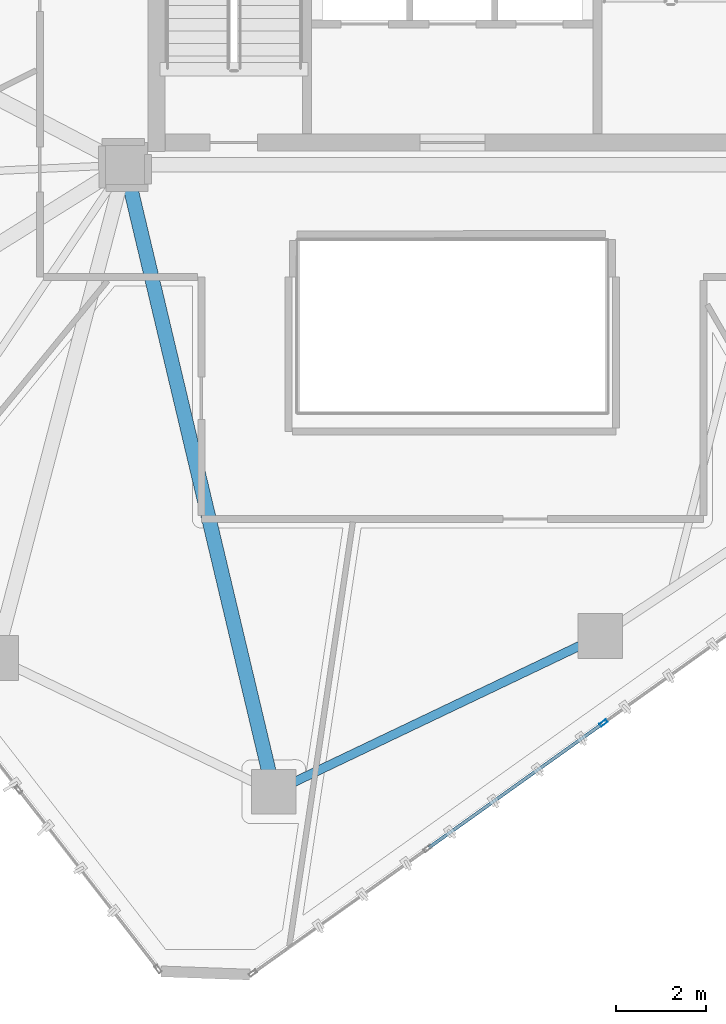
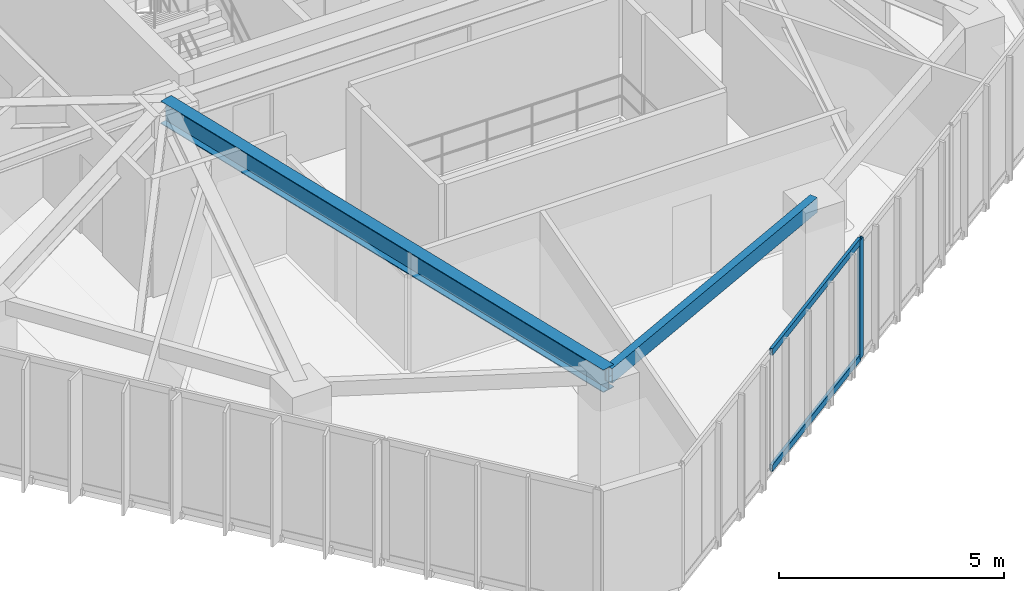
# One storey, part 4 of 19: 3 members, 2 beams, 1 element without a shape of its own.
"""IFC4 building model written with IfcOpenShell, lengths in metres."""

import ifcopenshell
import ifcopenshell.guid

model = None  # the IFC model being written
_history = None  # IfcOwnerHistory: only IFC2X3 demands one
_inside = {}  # id of a spatial element -> (the spatial element, [elements in it])
_under = {}  # id of a project, library or spatial element -> (it, [spatial elements below it])
_declared = {}  # id of a project -> (the project, [libraries it declares])
_typed = {}  # id of a type object -> (the type object, [elements of that type])
_made_of = {}  # id of a material, layer set ... -> (it, [elements and type objects made of it])


def new_model(schema):
    """Start an empty IFC model of exactly this schema.

    Asked for "IFC4X3", IfcOpenShell would pick the latest addendum, in which some entities
    have other attributes; the version numbers below select the first issue.
    IFC2X3 requires an IfcOwnerHistory on every rooted entity: one is made here for all.
    """
    global model, _history
    if schema == "IFC4X3":
        model = ifcopenshell.file(schema_version=(4, 3, 0, 0))
    else:
        model = ifcopenshell.file(schema=schema)
    _inside.clear()
    _under.clear()
    _declared.clear()
    _typed.clear()
    _made_of.clear()
    _history = None
    if model.schema == "IFC2X3":
        org = make("IfcOrganization", Name="unknown")
        user = make(
            "IfcPersonAndOrganization",
            ThePerson=make("IfcPerson", FamilyName="unknown"),
            TheOrganization=org,
        )
        app = make(
            "IfcApplication",
            ApplicationDeveloper=org,
            Version="unknown",
            ApplicationFullName="unknown",
            ApplicationIdentifier="unknown",
        )
        _history = make(
            "IfcOwnerHistory",
            OwningUser=user,
            OwningApplication=app,
            ChangeAction="ADDED",
            CreationDate=0,
        )
    return model


def make(cls, **values):
    """One entity of the class cls with the attributes given. An attribute that is None is left unset."""
    return model.create_entity(
        cls, **{name: value for name, value in values.items() if value is not None}
    )


def rooted(cls, **values):
    """An entity with a GlobalId (a new one), such as an element, a storey or a relation."""
    return make(cls, GlobalId=ifcopenshell.guid.new(), OwnerHistory=_history, **values)


def si_unit(unit_type, name, prefix=None):
    """IfcSIUnit, for example si_unit("LENGTHUNIT", "METRE", prefix="MILLI")."""
    return make("IfcSIUnit", UnitType=unit_type, Prefix=prefix, Name=name)


def assignment(units):
    """IfcUnitAssignment: the units of a project."""
    return None if units is None else make("IfcUnitAssignment", Units=units)


def point(xyz):
    """IfcCartesianPoint."""
    return None if xyz is None else make("IfcCartesianPoint", Coordinates=xyz)


def direction(xyz):
    """IfcDirection."""
    return None if xyz is None else make("IfcDirection", DirectionRatios=xyz)


def frame(location, z_axis=None, x_axis=None):
    """IfcAxis2Placement3D, a coordinate frame: its origin and axes. An axis left out is left unset."""
    return make(
        "IfcAxis2Placement3D",
        Location=point(location),
        Axis=direction(z_axis),
        RefDirection=direction(x_axis),
    )


def frame_2d(location, x_axis=None):
    """IfcAxis2Placement2D, a coordinate frame in the plane: its origin and x axis."""
    return make(
        "IfcAxis2Placement2D", Location=point(location), RefDirection=direction(x_axis)
    )


def origin():
    """The frame at (0, 0, 0) with its axes left unset."""
    return frame((0.0, 0.0, 0.0))


def origin_2d():
    """The frame at (0, 0) in the plane with its x axis left unset."""
    return frame_2d((0.0, 0.0))


def place(relative_to, where):
    """IfcLocalPlacement: puts the frame where relative to a parent placement (None: the world)."""
    return make(
        "IfcLocalPlacement", PlacementRelTo=relative_to, RelativePlacement=where
    )


def context(
    kind, dimensions, precision=None, world=None, true_north=None, identifier=None
):
    """IfcGeometricRepresentationContext, for example the 3D "Model" context."""
    return make(
        "IfcGeometricRepresentationContext",
        ContextIdentifier=identifier,
        ContextType=kind,
        CoordinateSpaceDimension=dimensions,
        Precision=precision,
        WorldCoordinateSystem=world,
        TrueNorth=true_north,
    )


def subcontext(parent, identifier, kind, view, scale=None):
    """IfcGeometricRepresentationSubContext, for example "Body" below "Model"."""
    return make(
        "IfcGeometricRepresentationSubContext",
        ContextIdentifier=identifier,
        ContextType=kind,
        ParentContext=parent,
        TargetScale=scale,
        TargetView=view,
    )


def project(units=None, contexts=None):
    """IfcProject with its units and contexts."""
    return rooted(
        "IfcProject",
        Name="project",
        RepresentationContexts=contexts,
        UnitsInContext=assignment(units),
    )


def spatial(cls, under=None, at=None, **own):
    """A site, building, storey or space (cls), placed at a placement, below another one or the project."""
    s = rooted(cls, ObjectPlacement=at, **own)
    if under is not None:
        _under.setdefault(under.id(), (under, []))[1].append(s)
    return s


def profile(cls, at=None, kind="AREA", **sizes):
    """A parametric profile (cls). Its sizes go by their IFC names, for example OverallWidth=200.0."""
    return make(cls, ProfileType=kind, Position=at, **sizes)


def hollow_rectangle(**sizes):
    """IfcRectangleHollowProfileDef."""
    return profile("IfcRectangleHollowProfileDef", **sizes)


def i_section(**sizes):
    """IfcIShapeProfileDef."""
    return profile("IfcIShapeProfileDef", **sizes)


def extrude(swept, where, along, depth):
    """IfcExtrudedAreaSolid: the profile swept, set in the frame where, extruded along a direction by depth."""
    return make(
        "IfcExtrudedAreaSolid",
        SweptArea=swept,
        Position=where,
        ExtrudedDirection=direction(along),
        Depth=depth,
    )


def shape(context_of_items, identifier, shape_type, items):
    """IfcShapeRepresentation: the items that make up one representation, for example the "Body"."""
    return make(
        "IfcShapeRepresentation",
        ContextOfItems=context_of_items,
        RepresentationIdentifier=identifier,
        RepresentationType=shape_type,
        Items=items,
    )


def source(mapping_origin, context_of_items, identifier, shape_type, items):
    """IfcRepresentationMap: a shape defined once, which mapped items show again and again."""
    return make(
        "IfcRepresentationMap",
        MappingOrigin=mapping_origin,
        MappedRepresentation=shape(context_of_items, identifier, shape_type, items),
    )


def transform(
    local_origin,
    x_axis=None,
    y_axis=None,
    z_axis=None,
    scale=None,
    scale2=None,
    scale3=None,
    uniform=True,
):
    """IfcCartesianTransformationOperator3D, or its non-uniform kind. x_axis, y_axis, z_axis: its Axis1, 2, 3."""
    if uniform:
        return make(
            "IfcCartesianTransformationOperator3D",
            Axis1=direction(x_axis),
            Axis2=direction(y_axis),
            LocalOrigin=point(local_origin),
            Scale=scale,
            Axis3=direction(z_axis),
        )
    return make(
        "IfcCartesianTransformationOperator3DnonUniform",
        Axis1=direction(x_axis),
        Axis2=direction(y_axis),
        LocalOrigin=point(local_origin),
        Scale=scale,
        Axis3=direction(z_axis),
        Scale2=scale2,
        Scale3=scale3,
    )


def mapped(mapping_source, mapping_target):
    """IfcMappedItem: shows the shape of a source again, moved by a transform."""
    return make(
        "IfcMappedItem", MappingSource=mapping_source, MappingTarget=mapping_target
    )


def material(Name=None, Category=None):
    """IfcMaterial."""
    return make("IfcMaterial", Name=Name, Category=Category)


def layer(
    of_material, thickness, ventilated=None, Name=None, Category=None, Priority=None
):
    """IfcMaterialLayer: one layer of a wall or slab, of a material (None: an air gap)."""
    return make(
        "IfcMaterialLayer",
        Material=of_material,
        LayerThickness=thickness,
        IsVentilated=ventilated,
        Name=Name,
        Category=Category,
        Priority=Priority,
    )


def layer_set(layers, Name=None):
    """IfcMaterialLayerSet."""
    return make("IfcMaterialLayerSet", MaterialLayers=layers, LayerSetName=Name)


def material_profile(
    of_material, cross_section, Name=None, Category=None, Priority=None
):
    """IfcMaterialProfile: a cross section and its material."""
    return make(
        "IfcMaterialProfile",
        Name=Name,
        Material=of_material,
        Profile=cross_section,
        Priority=Priority,
        Category=Category,
    )


def profile_set(profiles, Name=None, composite=None):
    """IfcMaterialProfileSet."""
    return make(
        "IfcMaterialProfileSet",
        Name=Name,
        MaterialProfiles=profiles,
        CompositeProfile=composite,
    )


def made_of(thing, what):
    """Note that an element or type object is made of a material, layer set ...; save() writes the relation."""
    if what is not None:
        _made_of.setdefault(what.id(), (what, []))[1].append(thing)
    return thing


def type_object(cls, material=None, **own):
    """A type object (cls), such as IfcWallType, which elements share."""
    return made_of(rooted(cls, **own), material)


def type_shapes(of_type, sources):
    """Give a type object the sources (RepresentationMaps) that its elements show as mapped items."""
    of_type.RepresentationMaps = sources


def element(
    cls,
    number,
    at=None,
    inside=None,
    cuts=None,
    type_object=None,
    material=None,
    context=None,
    identifier="Body",
    shape_type=None,
    held_by="IfcProductDefinitionShape",
    body=None,
    shapes=None,
    **own,
):
    """One element of the class cls, such as IfcWall. Its Tag is "e" and its number.

    at: its placement. inside: the storey or other place that contains it. cuts: it is an
    opening in that element (IfcRelVoidsElement). A single representation is given by context,
    identifier, shape_type and body (its items); several are given by shapes. held_by: the class
    of the entity that holds the representations. save() writes the other relations.
    """
    e = rooted(cls, Tag="e%d" % number, ObjectPlacement=at, **own)
    if body is not None:
        shapes = [shape(context, identifier, shape_type, body)]
    if shapes is not None:
        e.Representation = make(held_by, Representations=shapes)
    if inside is not None:
        _inside.setdefault(inside.id(), (inside, []))[1].append(e)
    if cuts is not None:
        rooted(
            "IfcRelVoidsElement", RelatingBuildingElement=cuts, RelatedOpeningElement=e
        )
    if type_object is not None:
        _typed.setdefault(type_object.id(), (type_object, []))[1].append(e)
    return made_of(e, material)


def aggregate(whole, parts):
    """IfcRelAggregates: a whole, such as a stair, and the parts it consists of."""
    return rooted("IfcRelAggregates", RelatingObject=whole, RelatedObjects=parts)


def save(model, path):
    """Write the relations noted so far, then the file.

    IfcRelAggregates (storeys below a building ...), IfcRelContainedInSpatialStructure (elements
    in a storey), IfcRelDefinesByType, IfcRelAssociatesMaterial and IfcRelDeclares: one each for
    every whole, place, type object, material and project.
    """
    for whole, parts in _under.values():
        aggregate(whole, parts)
    for where, things in _inside.values():
        rooted(
            "IfcRelContainedInSpatialStructure",
            RelatedElements=things,
            RelatingStructure=where,
        )
    for kind, things in _typed.values():
        rooted("IfcRelDefinesByType", RelatedObjects=things, RelatingType=kind)
    for what, things in _made_of.values():
        rooted("IfcRelAssociatesMaterial", RelatedObjects=things, RelatingMaterial=what)
    for by, libraries in _declared.values():
        rooted("IfcRelDeclares", RelatingContext=by, RelatedDefinitions=libraries)
    model.write(path)


model = new_model("IFC4")

# Units and contexts
model_context = context("Model", 3, precision=1e-05, world=origin(), true_north=direction((0.0, 1.0)))
body_context = subcontext(model_context, "Body", "Model", "MODEL_VIEW")
ifc_project = project(units=[si_unit("LENGTHUNIT", "METRE"), si_unit("AREAUNIT", "SQUARE_METRE"), si_unit("VOLUMEUNIT", "CUBIC_METRE"), si_unit("PLANEANGLEUNIT", "RADIAN"), si_unit("MASSUNIT", "GRAM", prefix="KILO")], contexts=[model_context])

# Site, building, storey
site_placement = place(None, origin())
site = spatial("IfcSite", under=ifc_project, at=site_placement, CompositionType="ELEMENT")
building_placement = place(site_placement, origin())
building = spatial("IfcBuilding", under=site, at=building_placement, Name="Talar Marvaseh", CompositionType="ELEMENT")
storey_placement = place(building_placement, frame((0.0, 0.0, 195.0)))
storey = spatial("IfcBuildingStorey", under=building, at=storey_placement, Name="L51", CompositionType="ELEMENT", Elevation=195.0)

# Beams
ifc_material_1 = material(Name="Steel S355", Category="steel")
ifc_material_profile_1 = material_profile(ifc_material_1, hollow_rectangle(XDim=0.199951171875, YDim=0.39990234375, WallThickness=0.013916015625, at=origin_2d()), Name="RHS400x200x14")
ifc_profile_set_1 = profile_set([ifc_material_profile_1], Name="Steel S355")
beam_type_1 = type_object("IfcBeamType", Name="Zone 3 Perimeter Spandrel Beam RHS400x200x14", PredefinedType="SPANDREL", material=ifc_profile_set_1)
beam_1_placement = place(storey_placement, frame((29.299072265625, 14.993896484375, 3.030029296875), z_axis=(-0.902562267408, -0.430559349511, 0.0), x_axis=(0.430559349511, -0.902562267408, 0.0)))
element("IfcBeam", 1, at=beam_1_placement, inside=storey, type_object=beam_type_1, Name="L51 Zone 3 Perimeter Spandrel Beam RHS400x200x14", PredefinedType="SPANDREL", context=body_context, shape_type="SweptSolid", body=[
    extrude(hollow_rectangle(XDim=0.199951171875, YDim=0.39990234375, WallThickness=0.013916015625, at=origin_2d()), origin(), (0.0, 0.0, 1.0), 8.070556640625),
])
ifc_material_profile_2 = material_profile(ifc_material_1, i_section(OverallWidth=0.324951171875, OverallDepth=0.615966796875, WebThickness=0.013916015625, FlangeThickness=0.021484375, at=origin_2d()), Name="W610x174")
ifc_profile_set_2 = profile_set([ifc_material_profile_2], Name="Steel S355")
beam_type_2 = type_object("IfcBeamType", Name="Zone 3 Radial Floor Girder W610x174", PredefinedType="BEAM", material=ifc_profile_set_2)
beam_2_placement = place(storey_placement, frame((22.014892578125, 11.51904296875, 2.922119140625), z_axis=(-0.230707708791, 0.973023099985, 0.0), x_axis=(-0.973023099985, -0.230707708791, 0.0)))
element("IfcBeam", 2, at=beam_2_placement, inside=storey, type_object=beam_type_2, Name="L51 Zone 3 Radial Floor Girder W610x174", PredefinedType="BEAM", context=body_context, shape_type="SweptSolid", body=[
    extrude(i_section(OverallWidth=0.324951171875, OverallDepth=0.615966796875, WebThickness=0.013916015625, FlangeThickness=0.021484375, at=origin_2d()), origin(), (0.0, 0.0, 1.0), 14.36865234375),
])

# Curtain wall, members
ifc_material_2 = material(Name="Architectural Aluminium", Category="aluminium")
ifc_layer = layer(ifc_material_2, 0.18994140625)
ifc_layer_set = layer_set([ifc_layer], Name="Architectural Aluminium")
curtain_wall_type = type_object("IfcCurtainWallType", Name="Unitised Solar Atelier Curtain Wall Z3", PredefinedType="NOTDEFINED", material=ifc_layer_set)
curtain_wall_placement = place(storey_placement, origin())
curtain_wall = element("IfcCurtainWall", 3, at=curtain_wall_placement, inside=storey, type_object=curtain_wall_type, Name="L51 Unitised Solar Atelier Curtain Wall Z3", PredefinedType="NOTDEFINED")
ifc_material_profile_3 = material_profile(ifc_material_2, hollow_rectangle(XDim=0.074951171875, YDim=0.179931640625, WallThickness=0.0048828125, at=origin_2d()), Name="RHS180x75x5")
ifc_profile_set_3 = profile_set([ifc_material_profile_3], Name="Architectural Aluminium")
member_type_1 = type_object("IfcMemberType", Name="Unitised Curtain Wall Standard Mullion RHS180x75x5", PredefinedType="MULLION", material=ifc_profile_set_3)
shared_shape_1 = source(origin(), body_context, "Body", "SweptSolid", [
    extrude(hollow_rectangle(XDim=0.074951171875, YDim=0.179931640625, WallThickness=0.0048828125, at=origin_2d()), origin(), (0.0, 0.0, 1.0), 3.22998046875),
])
type_shapes(member_type_1, [shared_shape_1])
member_1_placement = place(storey_placement, frame((29.370849609375, 13.05419921875, 0.0), z_axis=(0.0, 0.0, 1.0), x_axis=(0.580830576607, -0.814024472162, 0.0)))
member_1 = element("IfcMember", 4, at=member_1_placement, type_object=member_type_1, Name="CW-Z3 mullion 3", PredefinedType="MULLION", context=body_context, shape_type="MappedRepresentation", body=[
    mapped(shared_shape_1, transform((0.0, 0.0, 0.0), x_axis=(1.0, 0.0, 0.0), y_axis=(0.0, 1.0, 0.0), z_axis=(0.0, 0.0, 1.0), scale=1.0)),
])
ifc_material_profile_4 = material_profile(ifc_material_2, hollow_rectangle(XDim=0.074951171875, YDim=0.179931640625, WallThickness=0.0048828125, at=origin_2d()), Name="RHS180x75x5")
ifc_profile_set_4 = profile_set([ifc_material_profile_4], Name="Architectural Aluminium")
member_type_2 = type_object("IfcMemberType", Name="Unitised Curtain Wall Transom RHS180x75x5", PredefinedType="USERDEFINED", material=ifc_profile_set_4)
shared_shape_2 = source(origin(), body_context, "Body", "SweptSolid", [
    extrude(hollow_rectangle(XDim=0.074951171875, YDim=0.179931640625, WallThickness=0.0048828125, at=origin_2d()), origin(), (0.0, 0.0, 1.0), 4.7470703125),
])
type_shapes(member_type_2, [shared_shape_2])
member_2_placement = place(storey_placement, frame((29.34033203125, 13.0322265625, 0.03759765625), z_axis=(-0.814042634275, -0.580805121864, 0.0), x_axis=(0.580805121864, -0.814042634275, 0.0)))
member_2 = element("IfcMember", 5, at=member_2_placement, type_object=member_type_2, Name="CW-Z3 transom 3.1", ObjectType="TRANSOM", PredefinedType="USERDEFINED", context=body_context, shape_type="MappedRepresentation", body=[
    mapped(shared_shape_2, transform((0.0, 0.0, 0.0), x_axis=(1.0, 0.0, 0.0), y_axis=(0.0, 1.0, 0.0), z_axis=(0.0, 0.0, 1.0), scale=1.0)),
])
member_3_placement = place(storey_placement, frame((29.34033203125, 13.0322265625, 3.1923828125), z_axis=(-0.814042634275, -0.580805121864, 0.0), x_axis=(0.580805121864, -0.814042634275, 0.0)))
member_3 = element("IfcMember", 6, at=member_3_placement, type_object=member_type_2, Name="CW-Z3 transom 3.2", ObjectType="TRANSOM", PredefinedType="USERDEFINED", context=body_context, shape_type="MappedRepresentation", body=[
    mapped(shared_shape_2, transform((0.0, 0.0, 0.0), x_axis=(1.0, 0.0, 0.0), y_axis=(0.0, 1.0, 0.0), z_axis=(0.0, 0.0, 1.0), scale=1.0)),
])
aggregate(curtain_wall, [member_1, member_2, member_3])

save(model, "model.ifc")
